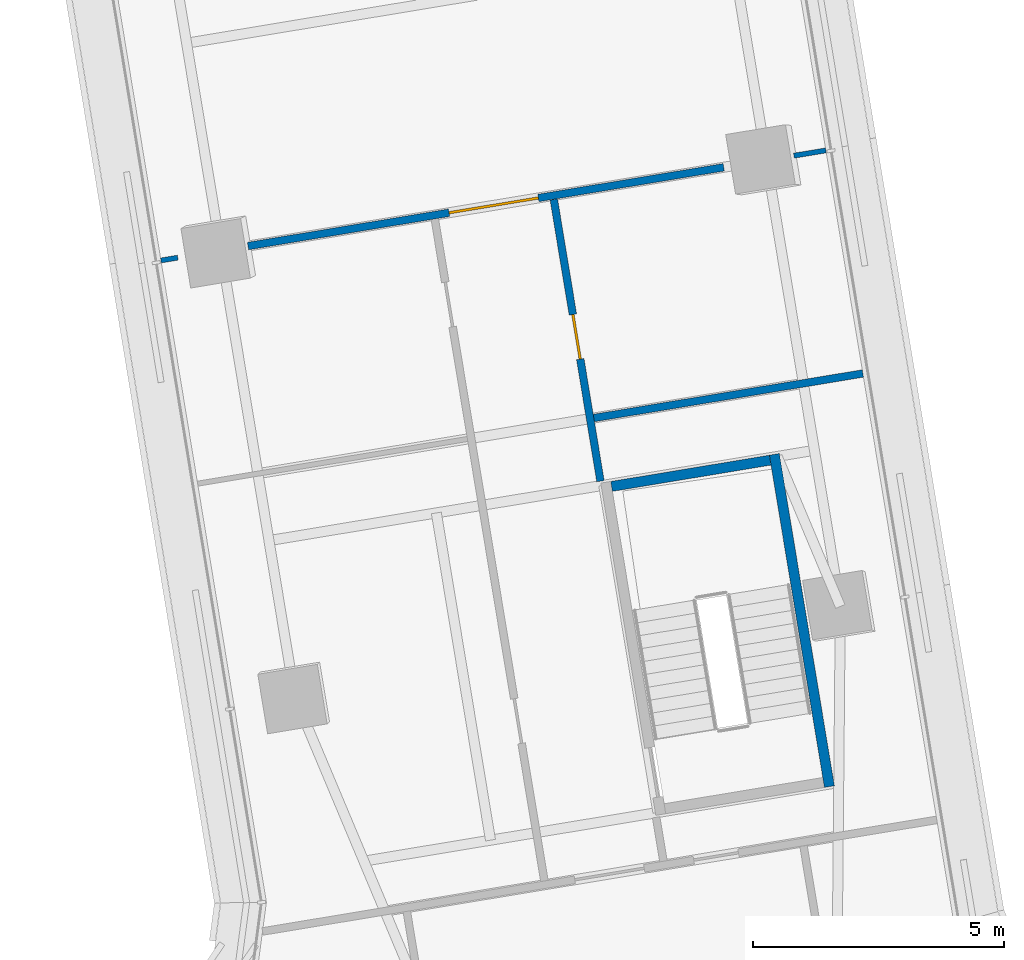
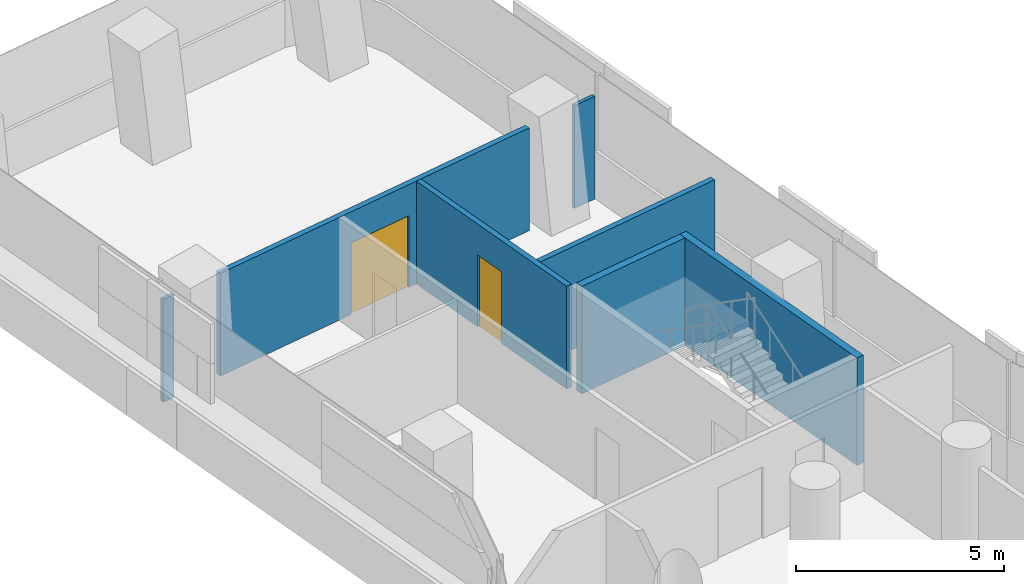
# One storey, part 24 of 32: 7 walls, 2 doors, 2 openings.
"""IFC4 building model written with IfcOpenShell, lengths in metres."""

from ifc_helpers import new_model, si_unit, direction, frame, frame_2d, origin, place, context, subcontext, project, spatial, polyline, rectangle, outline, extrude, material, layer, layer_set, type_object, element, fill, save


model = new_model("IFC4")

# Units and contexts
model_context = context("Model", 3, precision=1e-05, world=origin(), true_north=direction((0.0, 1.0)))
body_context = subcontext(model_context, "Body", "Model", "MODEL_VIEW")
ifc_project = project(units=[si_unit("LENGTHUNIT", "METRE"), si_unit("AREAUNIT", "SQUARE_METRE"), si_unit("VOLUMEUNIT", "CUBIC_METRE"), si_unit("PLANEANGLEUNIT", "RADIAN"), si_unit("MASSUNIT", "GRAM", prefix="KILO")], contexts=[model_context])

# Site, building, storey
site_placement = place(None, origin())
site = spatial("IfcSite", under=ifc_project, at=site_placement, CompositionType="ELEMENT")
building_placement = place(site_placement, origin())
building = spatial("IfcBuilding", under=site, at=building_placement, Name="Tamarind Cross Interchange Tower", CompositionType="ELEMENT")
storey_placement = place(building_placement, frame((0.0, 0.0, 67.75)))
storey = spatial("IfcBuildingStorey", under=building, at=storey_placement, Name="L15", CompositionType="ELEMENT", Elevation=67.75)

# Walls
ifc_material_1 = material(Name="Gypsum board partition on steel studs", Category="steel")
ifc_layer_1 = layer(ifc_material_1, 0.10009765625)
ifc_layer_set_1 = layer_set([ifc_layer_1], Name="Gypsum board partition on steel studs")
wall_type_1 = type_object("IfcWallType", Name="Partition 100 mm EI 90", PredefinedType="PARTITIONING", material=ifc_layer_set_1)
wall_1_placement = place(storey_placement, frame((-9.445068359375, 37.97119140625, 0.0), z_axis=(0.0, 0.0, 1.0), x_axis=(0.986588430204, 0.16322766122, 0.0)))
element("IfcWall", 1, at=wall_1_placement, inside=storey, type_object=wall_type_1, Name="Partition L15-047", PredefinedType="PARTITIONING", context=body_context, shape_type="SweptSolid", body=[
    extrude(rectangle(XDim=0.338134765625, YDim=0.10009765625, at=frame_2d((0.1689453125, 0.0))), origin(), (0.0, 0.0, 1.0), 3.010009765625),
])
wall_2_placement = place(storey_placement, frame((3.1474609375, 40.055908203125, 0.0), z_axis=(0.0, 0.0, 1.0), x_axis=(0.986557391544, 0.16341515594, 0.0)))
element("IfcWall", 2, at=wall_2_placement, inside=storey, type_object=wall_type_1, Name="Partition L15-049", PredefinedType="PARTITIONING", context=body_context, shape_type="SweptSolid", body=[
    extrude(rectangle(XDim=0.643798828125, YDim=0.10009765625, at=frame_2d((0.32177734375, 0.0))), origin(), (0.0, 0.0, 1.0), 3.010009765625),
])

# Wall, opening, door
ifc_layer_2 = layer(ifc_material_1, 0.14990234375)
ifc_layer_set_2 = layer_set([ifc_layer_2], Name="Gypsum board partition on steel studs")
wall_type_2 = type_object("IfcWallType", Name="Partition 150 mm EI 120", PredefinedType="PARTITIONING", material=ifc_layer_set_2)
wall_3_placement = place(storey_placement, frame((-1.6298828125, 39.18505859375, 0.0), z_axis=(0.0, 0.0, 1.0), x_axis=(0.163367374919, -0.98656530489, 0.0)))
wall_3 = element("IfcWall", 3, at=wall_3_placement, inside=storey, type_object=wall_type_2, Name="Partition L15-013", PredefinedType="PARTITIONING", context=body_context, shape_type="SweptSolid", body=[
    extrude(rectangle(XDim=5.680419921875, YDim=0.14990234375, at=frame_2d((2.84033203125, 0.0))), origin(), (0.0, 0.0, 1.0), 3.010009765625),
])
opening_1_placement = place(wall_3_placement, frame((2.320068359375, 0.0, 0.0)))
opening_1 = element("IfcOpeningElement", 4, at=opening_1_placement, cuts=wall_3, Name="Opening D07", PredefinedType="OPENING", context=body_context, shape_type="SweptSolid", body=[
    extrude(rectangle(XDim=0.89990234375, YDim=2.10009765625, at=frame_2d((0.449951171875, 1.050048828125))), frame((0.0, 0.0849609375, 0.0), z_axis=(0.0, -1.0, 0.0), x_axis=(1.0, 0.0, 0.0)), (0.0, 0.0, 1.0), 0.169921875),
])
ifc_material_2 = material(Name="Fire-resisting door set")
door_type_1 = type_object("IfcDoorType", Name="Interior door 900 x 2100 FD60S", OperationType="SINGLE_SWING_LEFT", PredefinedType="DOOR", material=ifc_material_2)
door_1_placement = place(opening_1_placement, origin())
door_1 = element("IfcDoor", 5, at=door_1_placement, inside=storey, type_object=door_type_1, Name="Door D07", OperationType="SINGLE_SWING_RIGHT", OverallHeight=2.10009765625, OverallWidth=0.89990234375, PredefinedType="DOOR", context=body_context, shape_type="SweptSolid", body=[
    extrude(rectangle(XDim=0.89990234375, YDim=2.10009765625, at=frame_2d((0.449951171875, 1.050048828125))), frame((0.0, 0.02490234375, 0.0), z_axis=(0.0, -1.0, 0.0), x_axis=(1.0, 0.0, 0.0)), (0.0, 0.0, 1.0), 0.050048828125),
])
fill(opening_1, door_1)

wall_4_placement = place(storey_placement, frame((-7.713623046875, 38.2578125, 0.0), z_axis=(0.0, 0.0, 1.0), x_axis=(0.986567411696, 0.163354651538, 0.0)))
wall_4 = element("IfcWall", 6, at=wall_4_placement, inside=storey, type_object=wall_type_2, Name="Partition L15-048", PredefinedType="PARTITIONING", context=body_context, shape_type="SweptSolid", body=[
    extrude(rectangle(XDim=9.592041015625, YDim=0.14990234375, at=frame_2d((4.7958984375, 0.0))), origin(), (0.0, 0.0, 1.0), 3.010009765625),
])
opening_2_placement = place(wall_4_placement, frame((4.05419921875, 0.0, 0.0)))
opening_2 = element("IfcOpeningElement", 7, at=opening_2_placement, cuts=wall_4, Name="Opening D28", PredefinedType="OPENING", context=body_context, shape_type="SweptSolid", body=[
    extrude(rectangle(XDim=1.800048828125, YDim=2.10009765625, at=frame_2d((0.89990234375, 1.050048828125))), frame((0.0, 0.0849609375, 0.0), z_axis=(0.0, -1.0, 0.0), x_axis=(1.0, 0.0, 0.0)), (0.0, 0.0, 1.0), 0.169921875),
])
door_type_2 = type_object("IfcDoorType", Name="Interior door 1800 x 2100 FD60S", OperationType="DOUBLE_DOOR_SINGLE_SWING", PredefinedType="DOOR", material=ifc_material_2)
door_2_placement = place(opening_2_placement, frame((1.800048828125, 0.0, 0.0), z_axis=(0.0, 0.0, 1.0), x_axis=(-1.0, 0.0, 0.0)))
door_2 = element("IfcDoor", 8, at=door_2_placement, inside=storey, type_object=door_type_2, Name="Door D28", OperationType="DOUBLE_DOOR_SINGLE_SWING", OverallHeight=2.10009765625, OverallWidth=1.800048828125, PredefinedType="DOOR", context=body_context, shape_type="SweptSolid", body=[
    extrude(rectangle(XDim=1.800048828125, YDim=2.10009765625, at=frame_2d((0.89990234375, 1.050048828125))), frame((0.0, 0.02490234375, 0.0), z_axis=(0.0, -1.0, 0.0), x_axis=(1.0, 0.0, 0.0)), (0.0, 0.0, 1.0), 0.050048828125),
])
fill(opening_2, door_2)

# Walls
wall_5_placement = place(storey_placement, frame((-0.8330078125, 34.83642578125, 0.0), z_axis=(0.0, 0.0, 1.0), x_axis=(0.98656614249, 0.163362316622, 0.0)))
element("IfcWall", 9, at=wall_5_placement, inside=storey, type_object=wall_type_2, Name="Partition L15-051", PredefinedType="PARTITIONING", context=body_context, shape_type="SweptSolid", body=[
    extrude(rectangle(XDim=5.42333984375, YDim=0.14990234375, at=frame_2d((2.711669921875, 0.0))), origin(), (0.0, 0.0, 1.0), 3.010009765625),
])
ifc_material_3 = material(Name="Concrete C40", Category="concrete")
ifc_layer_3 = layer(ifc_material_3, 0.199951171875)
ifc_layer_set_3 = layer_set([ifc_layer_3], Name="Concrete C40")
wall_type_3 = type_object("IfcWallType", Name="Stair shaft wall 200 mm Concrete C40", PredefinedType="SHEAR", material=ifc_layer_set_3)
wall_6_placement = place(storey_placement, frame((3.8525390625, 27.50341796875, -0.139892578125), z_axis=(0.0, 0.0, 1.0), x_axis=(-0.163358889014, 0.986566710051, 0.0)))
element("IfcWall", 10, at=wall_6_placement, inside=storey, type_object=wall_type_3, Name="Core wall CWL-L15-ST4-C", PredefinedType="SHEAR", context=body_context, shape_type="SweptSolid", body=[
    extrude(rectangle(XDim=6.699951171875, YDim=0.199951171875, at=frame_2d((3.35009765625, 0.0))), origin(), (0.0, 0.0, 1.0), 3.14990234375),
])
wall_7_placement = place(storey_placement, frame((0.0, 0.0, -0.139892578125)))
element("IfcWall", 11, at=wall_7_placement, inside=storey, type_object=wall_type_3, Name="Core wall CWL-L15-ST4-CF", PredefinedType="SHEAR", context=body_context, shape_type="SweptSolid", body=[
    extrude(outline(polyline([(2.69189453125, 33.899658203125), (2.6591796875, 34.096923828125), (-0.497802734375, 33.57421875), (-0.465087890625, 33.376953125), (2.69189453125, 33.899658203125)])), origin(), (0.0, 0.0, 1.0), 3.14990234375),
])

save(model, "model.ifc")
